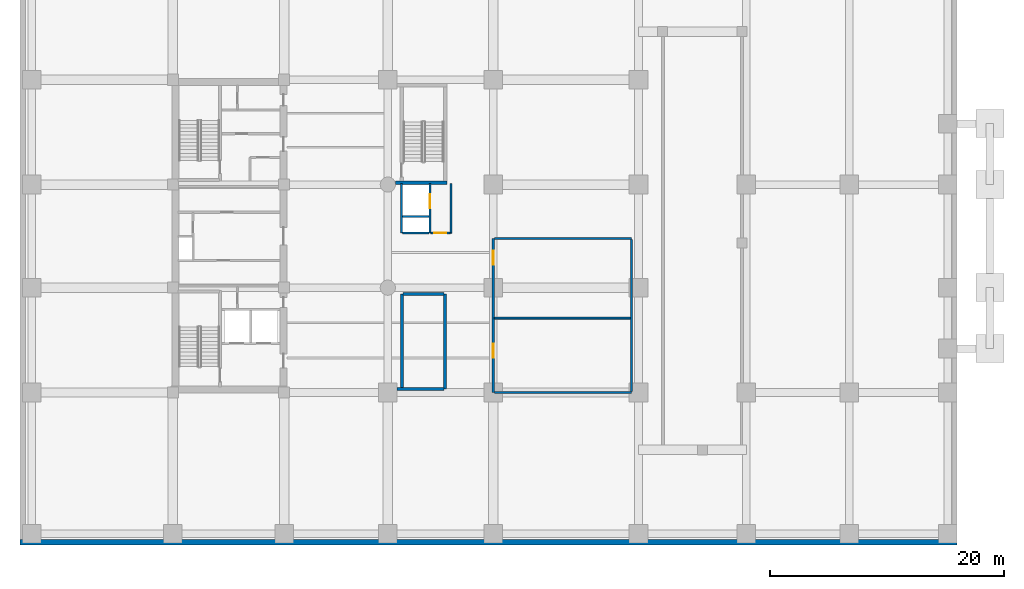
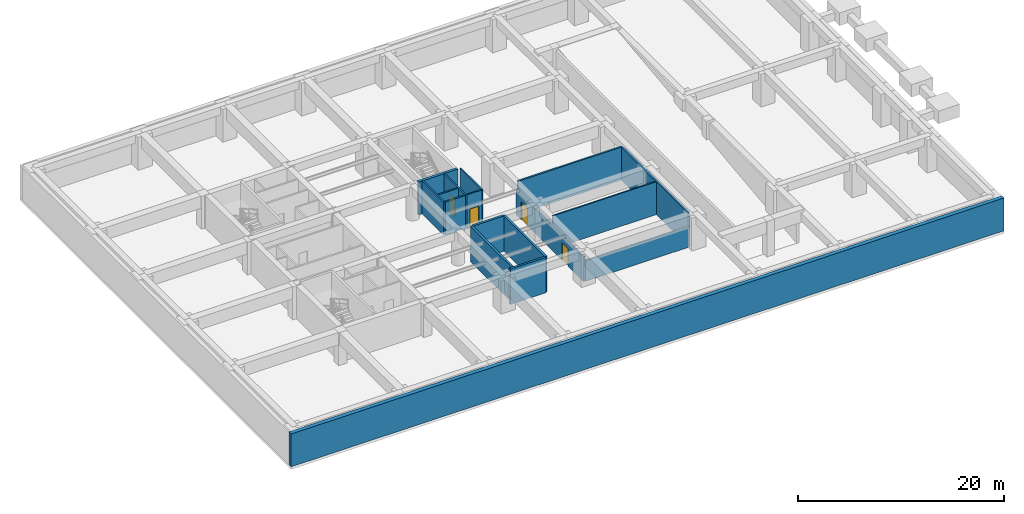
# One storey, part 4 of 7: 17 walls, 4 doors, 4 openings.
"""IFC4 building model written with IfcOpenShell, lengths in metres."""

from ifc_helpers import new_model, si_unit, direction, frame, frame_2d, origin, place, context, subcontext, project, spatial, rectangle, extrude, material, layer, layer_set, type_object, element, fill, save


model = new_model("IFC4")

# Units and contexts
model_context = context("Model", 3, precision=1e-05, world=origin(), true_north=direction((0.0, 1.0)))
body_context = subcontext(model_context, "Body", "Model", "MODEL_VIEW")
ifc_project = project(units=[si_unit("LENGTHUNIT", "METRE"), si_unit("AREAUNIT", "SQUARE_METRE"), si_unit("VOLUMEUNIT", "CUBIC_METRE"), si_unit("PLANEANGLEUNIT", "RADIAN"), si_unit("MASSUNIT", "GRAM", prefix="KILO")], contexts=[model_context])

# Site, building, storey
site_placement = place(None, origin())
site = spatial("IfcSite", under=ifc_project, at=site_placement, CompositionType="ELEMENT")
building_placement = place(site_placement, origin())
building = spatial("IfcBuilding", under=site, at=building_placement, Name="Kundavana Baori Tower", CompositionType="ELEMENT")
storey_placement = place(building_placement, frame((0.0, 0.0, -4.199951171875)))
storey = spatial("IfcBuildingStorey", under=building, at=storey_placement, Name="B01", CompositionType="ELEMENT", Elevation=-4.199951171875)

# Walls
ifc_material_1 = material(Name="Concrete C50/60", Category="concrete")
ifc_layer_1 = layer(ifc_material_1, 0.39990234375, Name="WL-CORE-400")
ifc_layer_set_1 = layer_set([ifc_layer_1], Name="Concrete C50/60")
wall_type_1 = type_object("IfcWallType", Name="WL-CORE-400", PredefinedType="SHEAR", material=ifc_layer_set_1)
for number, where, z_axis, x_axis, name in (
    (1, (35.010009765625, 15.5400390625, 0.0), (0.0, 0.0, 1.0), (0.0, 1.0, 0.0), "B01 Stair ST4 Substructure Shear Wall W"),
    (2, (38.68994140625, 15.5400390625, 0.0), (0.0, 0.0, 1.0), (0.0, 1.0, 0.0), "B01 Stair ST4 Substructure Shear Wall E"),
):
    element("IfcWall", number, at=place(storey_placement, frame(where, z_axis=z_axis, x_axis=x_axis)), inside=storey, type_object=wall_type_1, Name=name, PredefinedType="SHEAR", context=body_context, shape_type="SweptSolid", body=[
        extrude(rectangle(XDim=8.119873046875, YDim=0.239990234375, at=frame_2d((4.06005859375, 0.0))), origin(), (0.0, 0.0, 1.0), 4.199951171875),
    ])
wall_1_placement = place(storey_placement, frame((34.60009765625, 15.5400390625, 0.0), z_axis=(0.0, 0.0, 1.0), x_axis=(1.0, 0.0, 0.0)))
element("IfcWall", 3, at=wall_1_placement, inside=storey, type_object=wall_type_1, Name="B01 Stair ST4 Substructure Shear Wall S", PredefinedType="SHEAR", context=body_context, shape_type="SweptSolid", body=[
    extrude(rectangle(XDim=4.0, YDim=0.239990234375, at=frame_2d((2.0, 0.0))), origin(), (0.0, 0.0, 1.0), 4.199951171875),
])
wall_2_placement = place(storey_placement, frame((35.10009765625, 23.659912109375, 0.0), z_axis=(0.0, 0.0, 1.0), x_axis=(1.0, 0.0, 0.0)))
element("IfcWall", 4, at=wall_2_placement, inside=storey, type_object=wall_type_1, Name="B01 Stair ST4 Substructure Shear Wall N", PredefinedType="SHEAR", context=body_context, shape_type="SweptSolid", body=[
    extrude(rectangle(XDim=3.5, YDim=0.239990234375, at=frame_2d((1.75, 0.0))), origin(), (0.0, 0.0, 1.0), 4.199951171875),
])
ifc_material_2 = material(Name="Fire-Rated Gypsum Drywall on Galvanised Steel Studs", Category="steel")
ifc_layer_2 = layer(ifc_material_2, 0.14990234375, Name="WL-PART-150")
ifc_layer_set_2 = layer_set([ifc_layer_2], Name="Fire-Rated Gypsum Drywall on Galvanised Steel Studs")
wall_type_2 = type_object("IfcWallType", Name="WL-PART-150", PredefinedType="PARTITIONING", material=ifc_layer_set_2)
wall_3_placement = place(storey_placement, frame((39.199951171875, 28.860107421875, 0.0), z_axis=(0.0, 0.0, 1.0), x_axis=(0.0, 1.0, 0.0)))
element("IfcWall", 5, at=wall_3_placement, inside=storey, type_object=wall_type_2, Name="WL-B01-SVLOB-E", PredefinedType="PARTITIONING", context=body_context, shape_type="SweptSolid", body=[
    extrude(rectangle(XDim=4.219970703125, YDim=0.14990234375, at=frame_2d((2.10986328125, 0.0))), origin(), (0.0, 0.0, 1.0), 3.89990234375),
])

# Wall, opening, door
wall_4_placement = place(storey_placement, frame((37.47998046875, 28.860107421875, 0.0), z_axis=(0.0, 0.0, 1.0), x_axis=(1.0, 0.0, 0.0)))
wall_4 = element("IfcWall", 6, at=wall_4_placement, inside=storey, type_object=wall_type_2, Name="WL-B01-SVLOB-S", PredefinedType="PARTITIONING", context=body_context, shape_type="SweptSolid", body=[
    extrude(rectangle(XDim=1.64013671875, YDim=0.14990234375, at=frame_2d((0.820068359375, 0.0))), origin(), (0.0, 0.0, 1.0), 3.89990234375),
])
opening_1_placement = place(wall_4_placement, frame((0.300048828125, 0.0, 0.0)))
opening_1 = element("IfcOpeningElement", 7, at=opening_1_placement, cuts=wall_4, Name="Opening FD-100", PredefinedType="OPENING", context=body_context, shape_type="SweptSolid", body=[
    extrude(rectangle(XDim=1.0, YDim=2.10009765625, at=frame_2d((0.5, 1.050048828125))), frame((0.0, 0.0849609375, 0.0), z_axis=(0.0, -1.0, 0.0), x_axis=(1.0, 0.0, 0.0)), (0.0, 0.0, 1.0), 0.169921875),
])
ifc_material_3 = material(Name="Engineered Teak Fire-Rated Timber Door Leaf", Category="wood")
door_type_1 = type_object("IfcDoorType", Name="DR-FD60-1000", OperationType="NOTDEFINED", PredefinedType="DOOR", material=ifc_material_3)
door_1_placement = place(opening_1_placement, origin())
door_1 = element("IfcDoor", 8, at=door_1_placement, inside=storey, type_object=door_type_1, Name="DR-B01-SVLOB-OUT", OperationType="SINGLE_SWING_LEFT", OverallHeight=2.10009765625, OverallWidth=1.0, PredefinedType="DOOR", context=body_context, shape_type="SweptSolid", body=[
    extrude(rectangle(XDim=1.0, YDim=2.10009765625, at=frame_2d((0.5, 1.050048828125))), frame((0.0, 0.02490234375, 0.0), z_axis=(0.0, -1.0, 0.0), x_axis=(1.0, 0.0, 0.0)), (0.0, 0.0, 1.0), 0.050048828125),
])
fill(opening_1, door_1)

# Wall
wall_5_placement = place(storey_placement, frame((42.889892578125, 21.60009765625, 0.0), z_axis=(0.0, 0.0, 1.0), x_axis=(1.0, 0.0, 0.0)))
element("IfcWall", 9, at=wall_5_placement, inside=storey, type_object=wall_type_2, Name="WL-B01-BPLT-D1", PredefinedType="PARTITIONING", context=body_context, shape_type="SweptSolid", body=[
    extrude(rectangle(XDim=11.6201171875, YDim=0.14990234375, at=frame_2d((5.81005859375, 0.0))), origin(), (0.0, 0.0, 1.0), 3.89990234375),
])

# Wall, openings, doors
ifc_material_4 = material(Name="Autoclaved Aerated Concrete Blockwork Masonry", Category="masonry")
ifc_layer_3 = layer(ifc_material_4, 0.18505859375, Name="WL-PART-180")
ifc_layer_set_3 = layer_set([ifc_layer_3], Name="Autoclaved Aerated Concrete Blockwork Masonry")
wall_type_3 = type_object("IfcWallType", Name="WL-PART-180", PredefinedType="SOLIDWALL", material=ifc_layer_set_3)
wall_6_placement = place(storey_placement, frame((42.800048828125, 15.25, 0.0), z_axis=(0.0, 0.0, 1.0), x_axis=(0.0, 1.0, 0.0)))
wall_6 = element("IfcWall", 10, at=wall_6_placement, inside=storey, type_object=wall_type_3, Name="WL-B01-BPLT-W", PredefinedType="SOLIDWALL", context=body_context, shape_type="SweptSolid", body=[
    extrude(rectangle(XDim=13.14990234375, YDim=0.18505859375, at=frame_2d((6.574951171875, 0.0))), origin(), (0.0, 0.0, 1.0), 2.949951171875),
])
opening_2_placement = place(wall_6_placement, frame((2.949951171875, 0.0, 0.0)))
opening_2 = element("IfcOpeningElement", 11, at=opening_2_placement, cuts=wall_6, Name="Opening FD-120", PredefinedType="OPENING", context=body_context, shape_type="SweptSolid", body=[
    extrude(rectangle(XDim=1.199951171875, YDim=2.10009765625, at=frame_2d((0.60009765625, 1.050048828125))), frame((0.0, 0.1025390625, 0.0), z_axis=(0.0, -1.0, 0.0), x_axis=(1.0, 0.0, 0.0)), (0.0, 0.0, 1.0), 0.205078125),
])
opening_3_placement = place(wall_6_placement, frame((10.89990234375, 0.0, 0.0)))
opening_3 = element("IfcOpeningElement", 12, at=opening_3_placement, cuts=wall_6, Name="Opening FD-120", PredefinedType="OPENING", context=body_context, shape_type="SweptSolid", body=[
    extrude(rectangle(XDim=1.199951171875, YDim=2.10009765625, at=frame_2d((0.60009765625, 1.050048828125))), frame((0.0, 0.1025390625, 0.0), z_axis=(0.0, -1.0, 0.0), x_axis=(1.0, 0.0, 0.0)), (0.0, 0.0, 1.0), 0.205078125),
])
ifc_material_5 = material(Name="Galvanised Steel Fire-Rated Door Leaf", Category="steel")
door_type_2 = type_object("IfcDoorType", Name="DR-FD120-1200", OperationType="NOTDEFINED", PredefinedType="DOOR", material=ifc_material_5)
door_2_placement = place(opening_2_placement, origin())
door_2 = element("IfcDoor", 13, at=door_2_placement, inside=storey, type_object=door_type_2, Name="DR-B01-BPLT1", OperationType="SINGLE_SWING_LEFT", OverallHeight=2.10009765625, OverallWidth=1.199951171875, PredefinedType="DOOR", context=body_context, shape_type="SweptSolid", body=[
    extrude(rectangle(XDim=1.199951171875, YDim=2.10009765625, at=frame_2d((0.60009765625, 1.050048828125))), frame((0.0, 0.02490234375, 0.0), z_axis=(0.0, -1.0, 0.0), x_axis=(1.0, 0.0, 0.0)), (0.0, 0.0, 1.0), 0.050048828125),
])
fill(opening_2, door_2)
door_3_placement = place(opening_3_placement, origin())
door_3 = element("IfcDoor", 14, at=door_3_placement, inside=storey, type_object=door_type_2, Name="DR-B01-BPLT2", OperationType="SINGLE_SWING_RIGHT", OverallHeight=2.10009765625, OverallWidth=1.199951171875, PredefinedType="DOOR", context=body_context, shape_type="SweptSolid", body=[
    extrude(rectangle(XDim=1.199951171875, YDim=2.10009765625, at=frame_2d((0.60009765625, 1.050048828125))), frame((0.0, 0.02490234375, 0.0), z_axis=(0.0, -1.0, 0.0), x_axis=(1.0, 0.0, 0.0)), (0.0, 0.0, 1.0), 0.050048828125),
])
fill(opening_3, door_3)

# Walls
wall_7_placement = place(storey_placement, frame((42.889892578125, 28.39990234375, 0.0), z_axis=(0.0, 0.0, 1.0), x_axis=(1.0, 0.0, 0.0)))
element("IfcWall", 15, at=wall_7_placement, inside=storey, type_object=wall_type_3, Name="WL-B01-BPLT-N", PredefinedType="SOLIDWALL", context=body_context, shape_type="SweptSolid", body=[
    extrude(rectangle(XDim=11.710205078125, YDim=0.18505859375, at=frame_2d((5.85498046875, 0.0))), origin(), (0.0, 0.0, 1.0), 3.89990234375),
])
wall_8_placement = place(storey_placement, frame((42.889892578125, 15.25, 0.0), z_axis=(0.0, 0.0, 1.0), x_axis=(1.0, 0.0, 0.0)))
element("IfcWall", 16, at=wall_8_placement, inside=storey, type_object=wall_type_3, Name="WL-B01-BPLT-S", PredefinedType="SOLIDWALL", context=body_context, shape_type="SweptSolid", body=[
    extrude(rectangle(XDim=11.710205078125, YDim=0.18505859375, at=frame_2d((5.85498046875, 0.0))), origin(), (0.0, 0.0, 1.0), 2.449951171875),
])
wall_9_placement = place(storey_placement, frame((54.60009765625, 15.340087890625, 0.0), z_axis=(0.0, 0.0, 1.0), x_axis=(0.0, 1.0, 0.0)))
element("IfcWall", 17, at=wall_9_placement, inside=storey, type_object=wall_type_3, Name="WL-B01-BPLT-E", PredefinedType="SOLIDWALL", context=body_context, shape_type="SweptSolid", body=[
    extrude(rectangle(XDim=12.969970703125, YDim=0.18505859375, at=frame_2d((6.48486328125, 0.0))), origin(), (0.0, 0.0, 1.0), 3.89990234375),
])
ifc_material_6 = material(Name="Concrete C40/50", Category="concrete")
ifc_layer_4 = layer(ifc_material_6, 0.449951171875, Name="WL-RET-450")
ifc_layer_set_4 = layer_set([ifc_layer_4], Name="Concrete C40/50")
wall_type_4 = type_object("IfcWallType", Name="WL-RET-450", PredefinedType="SHEAR", material=ifc_layer_set_4)
wall_10_placement = place(storey_placement, frame((2.39990234375, 2.47509765625, 0.0), z_axis=(0.0, 0.0, 1.0), x_axis=(1.0, 0.0, 0.0)))
element("IfcWall", 18, at=wall_10_placement, inside=storey, type_object=wall_type_4, Name="B01 South Perimeter Retaining Wall", PredefinedType="SHEAR", context=body_context, shape_type="SweptSolid", body=[
    extrude(rectangle(XDim=80.0, YDim=0.449951171875, at=frame_2d((40.0, 0.0))), origin(), (0.0, 0.0, 1.0), 3.89990234375),
])
ifc_material_7 = material(Name="Autoclaved Aerated Concrete Blockwork Masonry", Category="masonry")
ifc_layer_5 = layer(ifc_material_7, 0.179931640625, Name="WL-SHAFT-180")
ifc_layer_set_5 = layer_set([ifc_layer_5], Name="Autoclaved Aerated Concrete Blockwork Masonry")
wall_type_5 = type_object("IfcWallType", Name="WL-SHAFT-180", PredefinedType="SOLIDWALL", material=ifc_layer_set_5)
wall_11_placement = place(storey_placement, frame((34.9599609375, 28.860107421875, 0.0), z_axis=(0.0, 0.0, 1.0), x_axis=(0.0, 1.0, 0.0)))
element("IfcWall", 19, at=wall_11_placement, inside=storey, type_object=wall_type_5, Name="WL-B01-SVL-W", PredefinedType="SOLIDWALL", context=body_context, shape_type="SweptSolid", body=[
    extrude(rectangle(XDim=4.219970703125, YDim=0.179931640625, at=frame_2d((2.10986328125, 0.0))), origin(), (0.0, 0.0, 1.0), 3.89990234375),
])

# Wall, opening, door
wall_12_placement = place(storey_placement, frame((37.389892578125, 28.860107421875, 0.0), z_axis=(0.0, 0.0, 1.0), x_axis=(0.0, 1.0, 0.0)))
wall_12 = element("IfcWall", 20, at=wall_12_placement, inside=storey, type_object=wall_type_5, Name="WL-B01-SVL-E", PredefinedType="SOLIDWALL", context=body_context, shape_type="SweptSolid", body=[
    extrude(rectangle(XDim=4.219970703125, YDim=0.179931640625, at=frame_2d((2.10986328125, 0.0))), origin(), (0.0, 0.0, 1.0), 3.89990234375),
])
opening_4_placement = place(wall_12_placement, frame((2.10009765625, 0.0, 0.0)))
opening_4 = element("IfcOpeningElement", 21, at=opening_4_placement, cuts=wall_12, Name="Opening LD-120", PredefinedType="OPENING", context=body_context, shape_type="SweptSolid", body=[
    extrude(rectangle(XDim=1.199951171875, YDim=2.1201171875, at=frame_2d((0.60009765625, 1.06005859375))), frame((0.0, 0.10009765625, 0.0), z_axis=(0.0, -1.0, 0.0), x_axis=(1.0, 0.0, 0.0)), (0.0, 0.0, 1.0), 0.199951171875),
])
ifc_material_8 = material(Name="Galvanised Steel Fire-Rated Door Leaf", Category="steel")
door_type_3 = type_object("IfcDoorType", Name="DR-SLIDE-LD1200", OperationType="NOTDEFINED", PredefinedType="DOOR", material=ifc_material_8)
door_4_placement = place(opening_4_placement, frame((1.199951171875, 0.0, 0.0), z_axis=(0.0, 0.0, 1.0), x_axis=(-1.0, 0.0, 0.0)))
door_4 = element("IfcDoor", 22, at=door_4_placement, inside=storey, type_object=door_type_3, Name="DR-B01-LD-SVL1", OperationType="DOUBLE_DOOR_SLIDING", OverallHeight=2.1201171875, OverallWidth=1.199951171875, PredefinedType="DOOR", context=body_context, shape_type="SweptSolid", body=[
    extrude(rectangle(XDim=1.199951171875, YDim=2.1201171875, at=frame_2d((0.60009765625, 1.06005859375))), frame((0.0, 0.02490234375, 0.0), z_axis=(0.0, -1.0, 0.0), x_axis=(1.0, 0.0, 0.0)), (0.0, 0.0, 1.0), 0.050048828125),
])
fill(opening_4, door_4)

# Walls
for number, where, z_axis, x_axis, name in (
    (23, (35.050048828125, 28.860107421875, 0.0), (0.0, 0.0, 1.0), (1.0, 0.0, 0.0), "WL-B01-SVL-S"),
    (24, (35.050048828125, 30.27001953125, 0.0), (0.0, 0.0, 1.0), (1.0, 0.0, 0.0), "WL-B01-SVL-M"),
):
    element("IfcWall", number, at=place(storey_placement, frame(where, z_axis=z_axis, x_axis=x_axis)), inside=storey, type_object=wall_type_5, Name=name, PredefinedType="SOLIDWALL", context=body_context, shape_type="SweptSolid", body=[
        extrude(rectangle(XDim=2.25, YDim=0.179931640625, at=frame_2d((1.125, 0.0))), origin(), (0.0, 0.0, 1.0), 3.89990234375),
    ])
ifc_material_9 = material(Name="Concrete C50/60", Category="concrete")
ifc_layer_6 = layer(ifc_material_9, 0.300048828125, Name="WL-ST3-300")
ifc_layer_set_6 = layer_set([ifc_layer_6], Name="Concrete C50/60")
wall_type_6 = type_object("IfcWallType", Name="WL-ST3-300", PredefinedType="SHEAR", material=ifc_layer_set_6)
wall_13_placement = place(storey_placement, frame((34.449951171875, 33.159912109375, 0.0), z_axis=(0.0, 0.0, 1.0), x_axis=(1.0, 0.0, 0.0)))
element("IfcWall", 25, at=wall_13_placement, inside=storey, type_object=wall_type_6, Name="B01 Stair ST3 South Shear Wall", PredefinedType="SHEAR", context=body_context, shape_type="SweptSolid", body=[
    extrude(rectangle(XDim=4.420166015625, YDim=0.300048828125, at=frame_2d((2.2099609375, 0.0))), origin(), (0.0, 0.0, 1.0), 3.89990234375),
])

save(model, "model.ifc")
